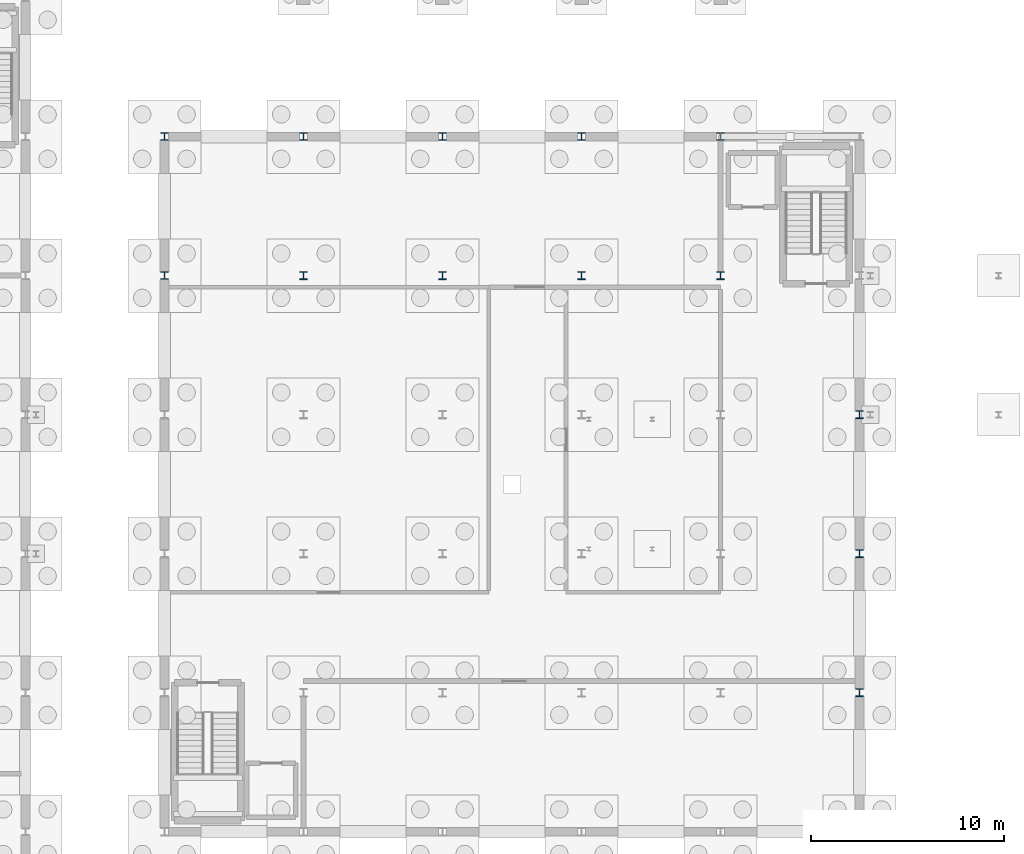
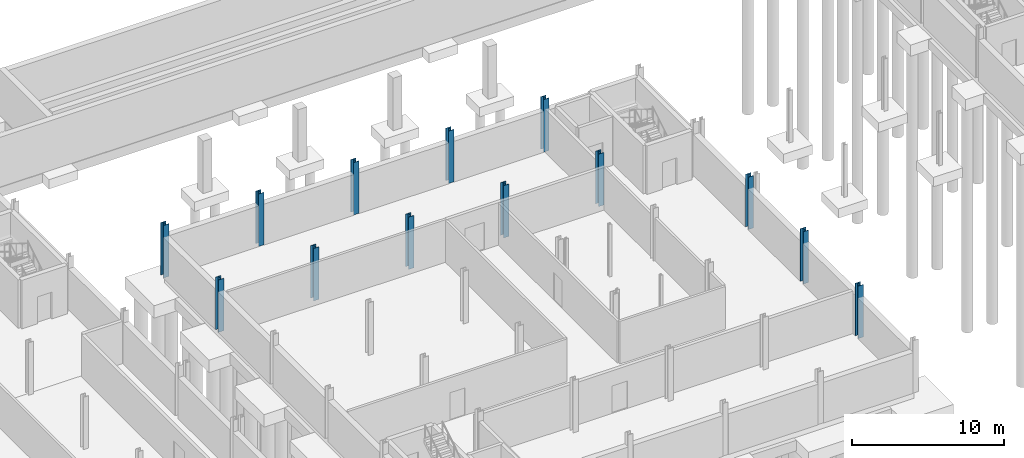
# One storey, part 21 of 50: 13 columns.
"""IFC4 building model written with IfcOpenShell, lengths in metres."""

from ifc_helpers import new_model, si_unit, direction, frame, origin, origin_2d, place, context, subcontext, project, spatial, i_section, extrude, material, material_profile, profile_set, type_object, element, save


model = new_model("IFC4")

# Units and contexts
model_context = context("Model", 3, precision=1e-05, world=origin(), true_north=direction((0.0, 1.0)))
body_context = subcontext(model_context, "Body", "Model", "MODEL_VIEW")
ifc_project = project(units=[si_unit("LENGTHUNIT", "METRE"), si_unit("AREAUNIT", "SQUARE_METRE"), si_unit("VOLUMEUNIT", "CUBIC_METRE"), si_unit("PLANEANGLEUNIT", "RADIAN"), si_unit("MASSUNIT", "GRAM", prefix="KILO")], contexts=[model_context])

# Site, building, storey
site_placement = place(None, origin())
site = spatial("IfcSite", under=ifc_project, at=site_placement, CompositionType="ELEMENT")
building_placement = place(site_placement, origin())
building = spatial("IfcBuilding", under=site, at=building_placement, Name="Narikvali Park Central Library", CompositionType="ELEMENT")
storey_placement = place(building_placement, frame((0.0, 0.0, -4.199951171875)))
storey = spatial("IfcBuildingStorey", under=building, at=storey_placement, Name="B1", CompositionType="ELEMENT", Elevation=-4.199951171875)

# Columns
ifc_material = material(Name="Steel S355", Category="steel")
ifc_material_profile_1 = material_profile(ifc_material, i_section(OverallWidth=0.404052734375, OverallDepth=0.406982421875, WebThickness=0.02001953125, FlangeThickness=0.031982421875, FilletRadius=0.014892578125, at=origin_2d()), Name="HD 400x347")
ifc_profile_set_1 = profile_set([ifc_material_profile_1], Name="Steel S355")
column_type_1 = type_object("IfcColumnType", Name="Rotunda Interior Column HD400x347", PredefinedType="COLUMN", material=ifc_profile_set_1)
for number, where, z_axis, x_axis, name in (
    (1, (72.0, 86.39990234375, 0.0), (0.0, 0.0, 1.0), (1.0, 0.0, 0.0), "V1 B1 Column (72.0,86.4)"),
    (2, (79.199951171875, 86.39990234375, 0.0), (0.0, 0.0, 1.0), (1.0, 0.0, 0.0), "V1 B1 Column (79.2,86.4)"),
    (3, (86.39990234375, 86.39990234375, 0.0), (0.0, 0.0, 1.0), (1.0, 0.0, 0.0), "V1 B1 Column (86.4,86.4)"),
    (4, (93.60009765625, 86.39990234375, 0.0), (0.0, 0.0, 1.0), (1.0, 0.0, 0.0), "V1 B1 Column (93.6,86.4)"),
):
    element("IfcColumn", number, at=place(storey_placement, frame(where, z_axis=z_axis, x_axis=x_axis)), inside=storey, type_object=column_type_1, Name=name, PredefinedType="COLUMN", context=body_context, shape_type="SweptSolid", body=[
        extrude(i_section(OverallWidth=0.404052734375, OverallDepth=0.406982421875, WebThickness=0.02001953125, FlangeThickness=0.031982421875, FilletRadius=0.014892578125, at=origin_2d()), origin(), (0.0, 0.0, 1.0), 4.199951171875),
    ])
ifc_material_profile_2 = material_profile(ifc_material, i_section(OverallWidth=0.40087890625, OverallDepth=0.39892578125, WebThickness=0.0185546875, FlangeThickness=0.029052734375, FilletRadius=0.014892578125, at=origin_2d()), Name="HD 400x314")
ifc_profile_set_2 = profile_set([ifc_material_profile_2], Name="Steel S355")
column_type_2 = type_object("IfcColumnType", Name="Steel Column HD400x314", PredefinedType="COLUMN", material=ifc_profile_set_2)
for number, where, z_axis, x_axis, name in (
    (5, (64.800048828125, 86.39990234375, 0.0), (0.0, 0.0, 1.0), (1.0, 0.0, 0.0), "V1 B1 Column (64.8,86.4)"),
    (6, (64.800048828125, 93.60009765625, 0.0), (0.0, 0.0, 1.0), (1.0, 0.0, 0.0), "V1 B1 Column (64.8,93.6)"),
    (7, (72.0, 93.60009765625, 0.0), (0.0, 0.0, 1.0), (1.0, 0.0, 0.0), "V1 B1 Column (72.0,93.6)"),
    (8, (79.199951171875, 93.60009765625, 0.0), (0.0, 0.0, 1.0), (1.0, 0.0, 0.0), "V1 B1 Column (79.2,93.6)"),
    (9, (86.39990234375, 93.60009765625, 0.0), (0.0, 0.0, 1.0), (1.0, 0.0, 0.0), "V1 B1 Column (86.4,93.6)"),
    (10, (93.60009765625, 93.60009765625, 0.0), (0.0, 0.0, 1.0), (1.0, 0.0, 0.0), "V1 B1 Column (93.6,93.6)"),
    (11, (100.800048828125, 64.800048828125, 0.0), (0.0, 0.0, 1.0), (1.0, 0.0, 0.0), "V1 B1 Column (100.8,64.8)"),
    (12, (100.800048828125, 72.0, 0.0), (0.0, 0.0, 1.0), (1.0, 0.0, 0.0), "V1 B1 Column (100.8,72.0)"),
    (13, (100.800048828125, 79.199951171875, 0.0), (0.0, 0.0, 1.0), (1.0, 0.0, 0.0), "V1 B1 Column (100.8,79.2)"),
):
    element("IfcColumn", number, at=place(storey_placement, frame(where, z_axis=z_axis, x_axis=x_axis)), inside=storey, type_object=column_type_2, Name=name, PredefinedType="COLUMN", context=body_context, shape_type="SweptSolid", body=[
        extrude(i_section(OverallWidth=0.40087890625, OverallDepth=0.39892578125, WebThickness=0.0185546875, FlangeThickness=0.029052734375, FilletRadius=0.014892578125, at=origin_2d()), origin(), (0.0, 0.0, 1.0), 4.199951171875),
    ])

save(model, "model.ifc")
